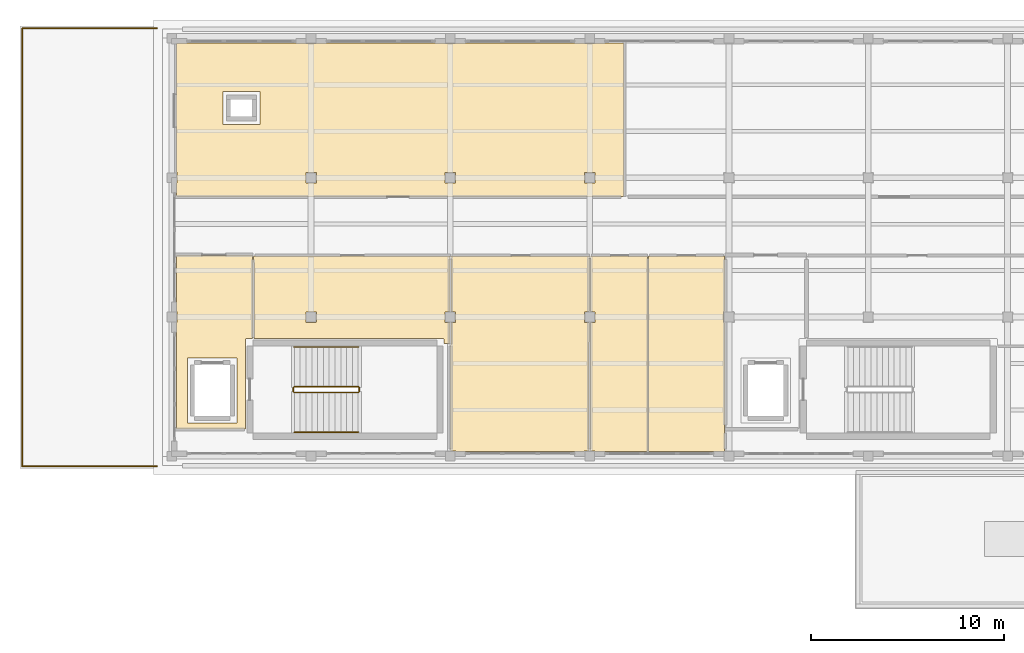
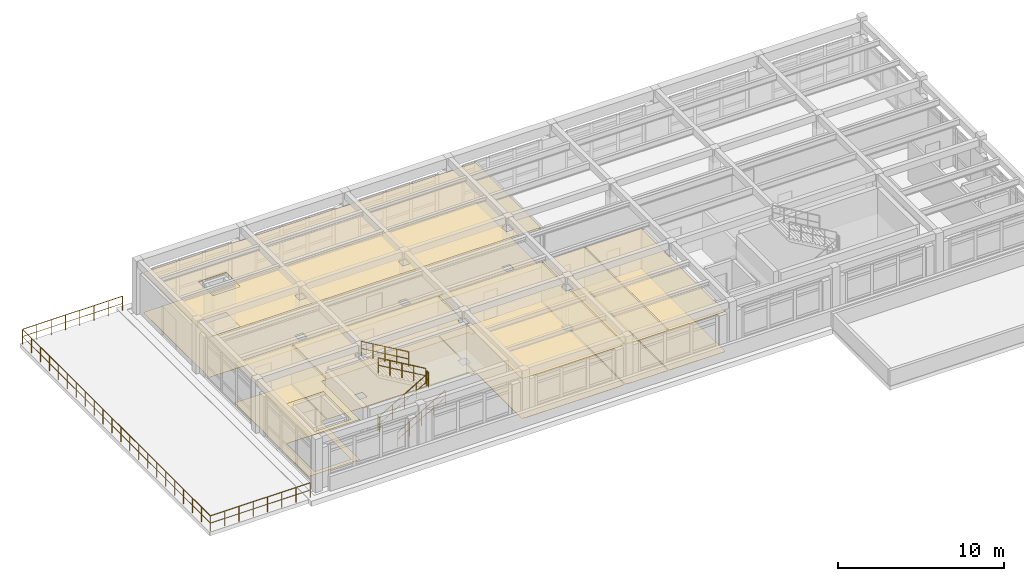
# One storey, part 13 of 15: 12 coverings, 9 railings.
"""IFC4 building model written with IfcOpenShell, lengths in metres."""

from ifc_helpers import new_model, si_unit, direction, frame, origin, origin_2d, place, context, subcontext, project, spatial, polyline, circle, outline, extrude, material, layer, layer_set, type_object, element, save


model = new_model("IFC4")

# Units and contexts
model_context = context("Model", 3, precision=1e-05, world=origin(), true_north=direction((0.0, 1.0)))
body_context = subcontext(model_context, "Body", "Model", "MODEL_VIEW")
ifc_project = project(units=[si_unit("LENGTHUNIT", "METRE"), si_unit("AREAUNIT", "SQUARE_METRE"), si_unit("VOLUMEUNIT", "CUBIC_METRE"), si_unit("PLANEANGLEUNIT", "RADIAN"), si_unit("MASSUNIT", "GRAM", prefix="KILO")], contexts=[model_context])

# Site, building, storey
site_placement = place(None, origin())
site = spatial("IfcSite", under=ifc_project, at=site_placement, CompositionType="ELEMENT")
building_placement = place(site_placement, origin())
building = spatial("IfcBuilding", under=site, at=building_placement, Name="Solenvale Faculty of Natural Sciences", CompositionType="ELEMENT")
storey_placement = place(building_placement, frame((0.0, 0.0, 48.0)))
storey = spatial("IfcBuildingStorey", under=building, at=storey_placement, Name="L11", CompositionType="ELEMENT", Elevation=48.0)

# Coverings
ifc_material_1 = material(Name="Acoustic mineral-timber ceiling", Category="wood")
ifc_layer_1 = layer(ifc_material_1, 0.02490234375)
ifc_layer_set_1 = layer_set([ifc_layer_1], Name="Acoustic mineral-timber ceiling")
covering_type_1 = type_object("IfcCoveringType", Name="COV-CEIL-AC25", PredefinedType="CEILING", material=ifc_layer_set_1)
covering_1_placement = place(storey_placement, frame((0.0, 0.0, 2.93505859375)))
element("IfcCovering", 1, at=covering_1_placement, inside=storey, type_object=covering_type_1, Name="L11 Firefighting Lobby C4 Acoustic Ceiling", PredefinedType="CEILING", context=body_context, shape_type="SweptSolid", body=[
    extrude(outline(polyline([(101.0400390625, 100.4951171875), (101.074951171875, 100.535888671875), (101.074951171875, 101.06591796875), (101.0400390625, 101.10498046875), (101.0400390625, 103.949951171875), (101.051025390625, 103.972900390625), (104.949951171875, 103.97998046875), (104.972900390625, 103.968994140625), (104.97998046875, 99.7099609375), (104.9560546875, 99.680908203125), (104.64794921875, 99.679931640625), (104.6201171875, 99.652099609375), (104.6201171875, 95.050048828125), (104.60693359375, 95.02490234375), (101.070068359375, 95.02001953125), (101.044921875, 95.032958984375), (101.0400390625, 100.4951171875)]), holes=[polyline([(101.6201171875, 95.347900390625), (101.6298828125, 95.327880859375), (101.64990234375, 95.320068359375), (104.14990234375, 95.320068359375), (104.174072265625, 95.33203125), (104.179931640625, 98.64990234375), (104.16796875, 98.674072265625), (101.64990234375, 98.679931640625), (101.6259765625, 98.66796875), (101.6201171875, 95.347900390625)])]), origin(), (0.0, 0.0, 1.0), 0.02490234375),
])
covering_2_placement = place(storey_placement, frame((0.0, 0.0, 2.93505859375)))
element("IfcCovering", 2, at=covering_2_placement, inside=storey, type_object=covering_type_1, Name="L11 Colloquium Seminar Room Acoustic Ceiling", PredefinedType="CEILING", context=body_context, shape_type="SweptSolid", body=[
    extrude(outline(polyline([(101.0400390625, 114.89501953125), (101.048095703125, 114.916015625), (101.10498046875, 114.9599609375), (107.695068359375, 114.9599609375), (107.736083984375, 114.925048828125), (108.26611328125, 114.925048828125), (108.304931640625, 114.9599609375), (114.89501953125, 114.9599609375), (114.93603515625, 114.925048828125), (115.466064453125, 114.925048828125), (115.5048828125, 114.9599609375), (122.094970703125, 114.9599609375), (122.135986328125, 114.925048828125), (122.666015625, 114.925048828125), (122.705078125, 114.9599609375), (124.158935546875, 114.958984375), (124.179931640625, 114.929931640625), (124.178955078125, 107.06103515625), (124.14990234375, 107.0400390625), (101.06103515625, 107.041015625), (101.0400390625, 107.070068359375), (101.0400390625, 107.697998046875), (101.074951171875, 107.736083984375), (101.074951171875, 108.26611328125), (101.0400390625, 108.304931640625), (101.0400390625, 114.89501953125)]), holes=[polyline([(122.6640625, 107.72509765625), (122.675048828125, 107.736083984375), (122.672119140625, 108.27197265625), (122.1279296875, 108.27197265625), (122.1279296875, 107.72802734375), (122.6640625, 107.72509765625)]), polyline([(115.464111328125, 107.72509765625), (115.47509765625, 107.736083984375), (115.471923828125, 108.27197265625), (114.927978515625, 108.27197265625), (114.927978515625, 107.72802734375), (115.464111328125, 107.72509765625)]), polyline([(108.263916015625, 107.72509765625), (108.27490234375, 107.736083984375), (108.27197265625, 108.27197265625), (107.72802734375, 108.27197265625), (107.72802734375, 107.72802734375), (108.263916015625, 107.72509765625)]), polyline([(103.468017578125, 112.4599609375), (103.447998046875, 112.449951171875), (103.43994140625, 112.429931640625), (103.43994140625, 110.77001953125), (103.449951171875, 110.748046875), (105.330078125, 110.739990234375), (105.35205078125, 110.75), (105.360107421875, 112.429931640625), (105.35009765625, 112.451904296875), (103.468017578125, 112.4599609375)])]), origin(), (0.0, 0.0, 1.0), 0.02490234375),
])
covering_3_placement = place(storey_placement, frame((0.0, 0.0, 2.93505859375)))
element("IfcCovering", 3, at=covering_3_placement, inside=storey, type_object=covering_type_1, Name="L11 Graduate Thesis Reading Room Acoustic Ceiling", PredefinedType="CEILING", context=body_context, shape_type="SweptSolid", body=[
    extrude(outline(polyline([(115.14990234375, 103.9599609375), (115.1708984375, 103.950927734375), (115.179931640625, 103.929931640625), (115.179931640625, 101.10205078125), (115.153076171875, 101.074951171875), (114.926025390625, 101.069091796875), (114.925048828125, 100.535888671875), (114.93603515625, 100.52490234375), (115.153076171875, 100.52490234375), (115.178955078125, 100.5009765625), (115.179931640625, 99.449951171875), (115.160888671875, 99.422119140625), (114.89111328125, 99.427001953125), (114.8798828125, 99.447021484375), (114.8798828125, 99.655029296875), (114.85107421875, 99.679931640625), (105.070068359375, 99.679931640625), (105.0419921875, 99.698974609375), (105.0400390625, 103.929931640625), (105.05908203125, 103.9580078125), (115.14990234375, 103.9599609375)]), holes=[polyline([(108.263916015625, 100.52490234375), (108.27490234375, 100.535888671875), (108.27197265625, 101.072021484375), (107.72802734375, 101.072021484375), (107.72802734375, 100.528076171875), (108.263916015625, 100.52490234375)])]), origin(), (0.0, 0.0, 1.0), 0.02490234375),
])
covering_4_placement = place(storey_placement, frame((0.0, 0.0, 2.93505859375)))
element("IfcCovering", 4, at=covering_4_placement, inside=storey, type_object=covering_type_1, Name="L11 Visiting Scholars Faculty Staff Office Acoustic Ceiling", PredefinedType="CEILING", context=body_context, shape_type="SweptSolid", body=[
    extrude(outline(polyline([(115.219970703125, 99.35107421875), (115.239990234375, 99.39990234375), (115.240966796875, 100.5009765625), (115.263916015625, 100.52392578125), (115.466064453125, 100.52490234375), (115.47509765625, 100.535888671875), (115.47412109375, 101.069091796875), (115.26708984375, 101.074951171875), (115.239990234375, 101.10205078125), (115.239990234375, 103.929931640625), (115.2529296875, 103.955078125), (122.368896484375, 103.952880859375), (122.3798828125, 103.929931640625), (122.3798828125, 101.10205078125), (122.35302734375, 101.074951171875), (122.1259765625, 101.069091796875), (122.125, 100.535888671875), (122.135986328125, 100.52490234375), (122.35595703125, 100.52392578125), (122.3798828125, 100.4951171875), (122.373046875, 93.885986328125), (122.35009765625, 93.875), (122.133056640625, 93.875), (122.094970703125, 93.840087890625), (115.5048828125, 93.840087890625), (115.467041015625, 93.875), (115.23095703125, 93.882080078125), (115.219970703125, 93.905029296875), (115.219970703125, 99.35107421875)])), origin(), (0.0, 0.0, 1.0), 0.02490234375),
])
covering_5_placement = place(storey_placement, frame((0.0, 0.0, 2.93505859375)))
element("IfcCovering", 5, at=covering_5_placement, inside=storey, type_object=covering_type_1, Name="L11 Public Washroom Acoustic Ceiling", PredefinedType="CEILING", context=body_context, shape_type="SweptSolid", body=[
    extrude(outline(polyline([(122.705078125, 93.840087890625), (122.6669921875, 93.875), (122.467041015625, 93.875), (122.43994140625, 93.905029296875), (122.43994140625, 100.4951171875), (122.464111328125, 100.52392578125), (122.666015625, 100.52490234375), (122.675048828125, 100.535888671875), (122.674072265625, 101.069091796875), (122.467041015625, 101.074951171875), (122.43994140625, 101.10205078125), (122.44091796875, 103.93896484375), (122.469970703125, 103.9599609375), (125.35888671875, 103.958984375), (125.3798828125, 103.929931640625), (125.37890625, 93.861083984375), (125.35009765625, 93.840087890625), (122.705078125, 93.840087890625)])), origin(), (0.0, 0.0, 1.0), 0.02490234375),
])
covering_6_placement = place(storey_placement, frame((0.0, 0.0, 2.93505859375)))
element("IfcCovering", 6, at=covering_6_placement, inside=storey, type_object=covering_type_1, Name="L11 Accessible Washroom Acoustic Ceiling", PredefinedType="CEILING", context=body_context, shape_type="SweptSolid", body=[
    extrude(outline(polyline([(129.366943359375, 93.8798828125), (129.294921875, 93.840087890625), (125.469970703125, 93.840087890625), (125.44189453125, 93.85888671875), (125.43994140625, 103.929931640625), (125.458984375, 103.9580078125), (129.330078125, 103.9599609375), (129.35791015625, 103.94091796875), (129.360107421875, 101.10498046875), (129.324951171875, 101.06591796875), (129.324951171875, 100.535888671875), (129.360107421875, 100.4951171875), (129.360107421875, 95.0), (129.3798828125, 94.950927734375), (129.3798828125, 93.905029296875), (129.366943359375, 93.8798828125)])), origin(), (0.0, 0.0, 1.0), 0.02490234375),
])
ifc_material_2 = material(Name="Polished slate terrazzo flooring", Category="masonry")
ifc_layer_2 = layer(ifc_material_2, 0.01806640625)
ifc_layer_set_2 = layer_set([ifc_layer_2], Name="Polished slate terrazzo flooring")
covering_type_2 = type_object("IfcCoveringType", Name="COV-FLR-TRZ18", PredefinedType="FLOORING", material=ifc_layer_set_2)
covering_7_placement = place(storey_placement, origin())
element("IfcCovering", 7, at=covering_7_placement, inside=storey, type_object=covering_type_2, Name="L11 Firefighting Lobby C4 Floor Finish", PredefinedType="FLOORING", context=body_context, shape_type="SweptSolid", body=[
    extrude(outline(polyline([(101.0400390625, 100.4951171875), (101.074951171875, 100.535888671875), (101.074951171875, 101.06591796875), (101.0400390625, 101.10498046875), (101.0400390625, 103.949951171875), (101.051025390625, 103.972900390625), (104.949951171875, 103.97998046875), (104.972900390625, 103.968994140625), (104.97998046875, 99.7099609375), (104.9560546875, 99.680908203125), (104.64794921875, 99.679931640625), (104.6201171875, 99.652099609375), (104.6201171875, 95.050048828125), (104.60693359375, 95.02490234375), (101.070068359375, 95.02001953125), (101.044921875, 95.032958984375), (101.0400390625, 100.4951171875)]), holes=[polyline([(101.6201171875, 95.347900390625), (101.6298828125, 95.327880859375), (101.64990234375, 95.320068359375), (104.14990234375, 95.320068359375), (104.174072265625, 95.33203125), (104.179931640625, 98.64990234375), (104.16796875, 98.674072265625), (101.64990234375, 98.679931640625), (101.6259765625, 98.66796875), (101.6201171875, 95.347900390625)])]), origin(), (0.0, 0.0, 1.0), 0.01806640625),
])
covering_8_placement = place(storey_placement, origin())
element("IfcCovering", 8, at=covering_8_placement, inside=storey, type_object=covering_type_2, Name="L11 Colloquium Seminar Room Floor Finish", PredefinedType="FLOORING", context=body_context, shape_type="SweptSolid", body=[
    extrude(outline(polyline([(101.0400390625, 114.89501953125), (101.048095703125, 114.916015625), (101.10498046875, 114.9599609375), (107.695068359375, 114.9599609375), (107.736083984375, 114.925048828125), (108.26611328125, 114.925048828125), (108.304931640625, 114.9599609375), (114.89501953125, 114.9599609375), (114.93603515625, 114.925048828125), (115.466064453125, 114.925048828125), (115.5048828125, 114.9599609375), (122.094970703125, 114.9599609375), (122.135986328125, 114.925048828125), (122.666015625, 114.925048828125), (122.705078125, 114.9599609375), (124.158935546875, 114.958984375), (124.179931640625, 114.929931640625), (124.178955078125, 107.06103515625), (124.14990234375, 107.0400390625), (101.06103515625, 107.041015625), (101.0400390625, 107.070068359375), (101.0400390625, 107.697998046875), (101.074951171875, 107.736083984375), (101.074951171875, 108.26611328125), (101.0400390625, 108.304931640625), (101.0400390625, 114.89501953125)]), holes=[polyline([(122.6640625, 107.72509765625), (122.675048828125, 107.736083984375), (122.672119140625, 108.27197265625), (122.1279296875, 108.27197265625), (122.1279296875, 107.72802734375), (122.6640625, 107.72509765625)]), polyline([(115.464111328125, 107.72509765625), (115.47509765625, 107.736083984375), (115.471923828125, 108.27197265625), (114.927978515625, 108.27197265625), (114.927978515625, 107.72802734375), (115.464111328125, 107.72509765625)]), polyline([(108.263916015625, 107.72509765625), (108.27490234375, 107.736083984375), (108.27197265625, 108.27197265625), (107.72802734375, 108.27197265625), (107.72802734375, 107.72802734375), (108.263916015625, 107.72509765625)]), polyline([(103.468017578125, 112.4599609375), (103.447998046875, 112.449951171875), (103.43994140625, 112.429931640625), (103.43994140625, 110.77001953125), (103.449951171875, 110.748046875), (105.330078125, 110.739990234375), (105.35205078125, 110.75), (105.360107421875, 112.429931640625), (105.35009765625, 112.451904296875), (103.468017578125, 112.4599609375)])]), origin(), (0.0, 0.0, 1.0), 0.01806640625),
])
covering_9_placement = place(storey_placement, origin())
element("IfcCovering", 9, at=covering_9_placement, inside=storey, type_object=covering_type_2, Name="L11 Graduate Thesis Reading Room Floor Finish", PredefinedType="FLOORING", context=body_context, shape_type="SweptSolid", body=[
    extrude(outline(polyline([(115.14990234375, 103.9599609375), (115.1708984375, 103.950927734375), (115.179931640625, 103.929931640625), (115.179931640625, 101.10205078125), (115.153076171875, 101.074951171875), (114.926025390625, 101.069091796875), (114.925048828125, 100.535888671875), (114.93603515625, 100.52490234375), (115.153076171875, 100.52490234375), (115.178955078125, 100.5009765625), (115.179931640625, 99.449951171875), (115.160888671875, 99.422119140625), (114.89111328125, 99.427001953125), (114.8798828125, 99.447021484375), (114.8798828125, 99.655029296875), (114.85107421875, 99.679931640625), (105.070068359375, 99.679931640625), (105.0419921875, 99.698974609375), (105.0400390625, 103.929931640625), (105.05908203125, 103.9580078125), (115.14990234375, 103.9599609375)]), holes=[polyline([(108.263916015625, 100.52490234375), (108.27490234375, 100.535888671875), (108.27197265625, 101.072021484375), (107.72802734375, 101.072021484375), (107.72802734375, 100.528076171875), (108.263916015625, 100.52490234375)])]), origin(), (0.0, 0.0, 1.0), 0.01806640625),
])
covering_10_placement = place(storey_placement, origin())
element("IfcCovering", 10, at=covering_10_placement, inside=storey, type_object=covering_type_2, Name="L11 Visiting Scholars Faculty Staff Office Floor Finish", PredefinedType="FLOORING", context=body_context, shape_type="SweptSolid", body=[
    extrude(outline(polyline([(115.219970703125, 99.35107421875), (115.239990234375, 99.39990234375), (115.240966796875, 100.5009765625), (115.263916015625, 100.52392578125), (115.466064453125, 100.52490234375), (115.47509765625, 100.535888671875), (115.47412109375, 101.069091796875), (115.26708984375, 101.074951171875), (115.239990234375, 101.10205078125), (115.239990234375, 103.929931640625), (115.2529296875, 103.955078125), (122.368896484375, 103.952880859375), (122.3798828125, 103.929931640625), (122.3798828125, 101.10205078125), (122.35302734375, 101.074951171875), (122.1259765625, 101.069091796875), (122.125, 100.535888671875), (122.135986328125, 100.52490234375), (122.35595703125, 100.52392578125), (122.3798828125, 100.4951171875), (122.373046875, 93.885986328125), (122.35009765625, 93.875), (122.133056640625, 93.875), (122.094970703125, 93.840087890625), (115.5048828125, 93.840087890625), (115.467041015625, 93.875), (115.23095703125, 93.882080078125), (115.219970703125, 93.905029296875), (115.219970703125, 99.35107421875)])), origin(), (0.0, 0.0, 1.0), 0.01806640625),
])
covering_11_placement = place(storey_placement, origin())
element("IfcCovering", 11, at=covering_11_placement, inside=storey, type_object=covering_type_2, Name="L11 Public Washroom Floor Finish", PredefinedType="FLOORING", context=body_context, shape_type="SweptSolid", body=[
    extrude(outline(polyline([(122.705078125, 93.840087890625), (122.6669921875, 93.875), (122.467041015625, 93.875), (122.43994140625, 93.905029296875), (122.43994140625, 100.4951171875), (122.464111328125, 100.52392578125), (122.666015625, 100.52490234375), (122.675048828125, 100.535888671875), (122.674072265625, 101.069091796875), (122.467041015625, 101.074951171875), (122.43994140625, 101.10205078125), (122.44091796875, 103.93896484375), (122.469970703125, 103.9599609375), (125.35888671875, 103.958984375), (125.3798828125, 103.929931640625), (125.37890625, 93.861083984375), (125.35009765625, 93.840087890625), (122.705078125, 93.840087890625)])), origin(), (0.0, 0.0, 1.0), 0.01806640625),
])
covering_12_placement = place(storey_placement, origin())
element("IfcCovering", 12, at=covering_12_placement, inside=storey, type_object=covering_type_2, Name="L11 Accessible Washroom Floor Finish", PredefinedType="FLOORING", context=body_context, shape_type="SweptSolid", body=[
    extrude(outline(polyline([(129.366943359375, 93.8798828125), (129.294921875, 93.840087890625), (125.469970703125, 93.840087890625), (125.44189453125, 93.85888671875), (125.43994140625, 103.929931640625), (125.458984375, 103.9580078125), (129.330078125, 103.9599609375), (129.35791015625, 103.94091796875), (129.360107421875, 101.10498046875), (129.324951171875, 101.06591796875), (129.324951171875, 100.535888671875), (129.360107421875, 100.4951171875), (129.360107421875, 95.0), (129.3798828125, 94.950927734375), (129.3798828125, 93.905029296875), (129.366943359375, 93.8798828125)])), origin(), (0.0, 0.0, 1.0), 0.01806640625),
])

# Railings
ifc_material_3 = material(Name="Stainless steel Grade 304", Category="steel")
railing_type_1 = type_object("IfcRailingType", Name="RL-GRD-1100", PredefinedType="GUARDRAIL", material=ifc_material_3)
railing_1_placement = place(storey_placement, frame((107.139892578125, 96.89990234375, 0.175048828125)))
element("IfcRailing", 13, at=railing_1_placement, inside=storey, type_object=railing_type_1, Name="L11 ST-04 stair guard 1", PredefinedType="GUARDRAIL", context=body_context, shape_type="SweptSolid", body=[
    extrude(circle(Radius=0.02392578125, at=origin_2d()), frame((0.0, 0.0, 1.09619140625), z_axis=(0.863776583165, 0.0, 0.503874998761), x_axis=(0.0, 1.0, 0.0)), (0.0, 0.0, 1.0), 3.820556640625),
    extrude(circle(Radius=0.01611328125, at=origin_2d()), frame((0.0, 0.0, 0.56005859375), z_axis=(0.863776583165, 0.0, 0.503874998761), x_axis=(0.0, 1.0, 0.0)), (0.0, 0.0, 1.0), 3.820556640625),
    extrude(circle(Radius=0.02099609375, at=origin_2d()), origin(), (0.0, 0.0, 1.0), 1.072021484375),
    extrude(circle(Radius=0.02099609375, at=origin_2d()), frame((0.824951171875, 0.0, 0.481201171875)), (0.0, 0.0, 1.0), 1.072021484375),
    extrude(circle(Radius=0.02099609375, at=origin_2d()), frame((1.64990234375, 0.0, 0.96240234375)), (0.0, 0.0, 1.0), 1.072021484375),
    extrude(circle(Radius=0.02099609375, at=origin_2d()), frame((2.47509765625, 0.0, 1.44384765625)), (0.0, 0.0, 1.0), 1.072021484375),
    extrude(circle(Radius=0.02099609375, at=origin_2d()), frame((3.300048828125, 0.0, 1.925048828125)), (0.0, 0.0, 1.0), 1.072021484375),
])
railing_2_placement = place(storey_placement, frame((110.489990234375, 96.949951171875, 2.10009765625)))
element("IfcRailing", 14, at=railing_2_placement, inside=storey, type_object=railing_type_1, Name="L11 ST-04 stair guard 2", PredefinedType="GUARDRAIL", context=body_context, shape_type="SweptSolid", body=[
    extrude(circle(Radius=0.02392578125, at=origin_2d()), frame((0.0, 0.0, 1.09619140625), z_axis=(0.0, 1.0, 0.0), x_axis=(-1.0, 0.0, 0.0)), (0.0, 0.0, 1.0), 0.199951171875),
    extrude(circle(Radius=0.01611328125, at=origin_2d()), frame((0.0, 0.0, 0.56005859375), z_axis=(0.0, 1.0, 0.0), x_axis=(-1.0, 0.0, 0.0)), (0.0, 0.0, 1.0), 0.199951171875),
    extrude(circle(Radius=0.02099609375, at=origin_2d()), origin(), (0.0, 0.0, 1.0), 1.072021484375),
    extrude(circle(Radius=0.02099609375, at=origin_2d()), frame((0.0, 0.199951171875, 0.0)), (0.0, 0.0, 1.0), 1.072021484375),
])
railing_3_placement = place(storey_placement, frame((110.43994140625, 97.199951171875, 2.27490234375)))
element("IfcRailing", 15, at=railing_3_placement, inside=storey, type_object=railing_type_1, Name="L11 ST-04 stair guard 3", PredefinedType="GUARDRAIL", context=body_context, shape_type="SweptSolid", body=[
    extrude(circle(Radius=0.02392578125, at=origin_2d()), frame((0.0, 0.0, 1.09619140625), z_axis=(-0.863776583165, 0.0, 0.503874998761), x_axis=(0.0, -1.0, 0.0)), (0.0, 0.0, 1.0), 3.820556640625),
    extrude(circle(Radius=0.01611328125, at=origin_2d()), frame((0.0, 0.0, 0.56005859375), z_axis=(-0.863776583165, 0.0, 0.503874998761), x_axis=(0.0, -1.0, 0.0)), (0.0, 0.0, 1.0), 3.820556640625),
    extrude(circle(Radius=0.02099609375, at=origin_2d()), origin(), (0.0, 0.0, 1.0), 1.072021484375),
    extrude(circle(Radius=0.02099609375, at=origin_2d()), frame((-0.824951171875, 0.0, 0.481201171875)), (0.0, 0.0, 1.0), 1.072021484375),
    extrude(circle(Radius=0.02099609375, at=origin_2d()), frame((-1.64990234375, 0.0, 0.96240234375)), (0.0, 0.0, 1.0), 1.072021484375),
    extrude(circle(Radius=0.02099609375, at=origin_2d()), frame((-2.47509765625, 0.0, 1.44384765625)), (0.0, 0.0, 1.0), 1.072021484375),
    extrude(circle(Radius=0.02099609375, at=origin_2d()), frame((-3.300048828125, 0.0, 1.925048828125)), (0.0, 0.0, 1.0), 1.072021484375),
])
railing_4_placement = place(storey_placement, frame((107.090087890625, 96.949951171875, 0.0)))
element("IfcRailing", 16, at=railing_4_placement, inside=storey, type_object=railing_type_1, Name="L11 ST-04 stair guard 4", PredefinedType="GUARDRAIL", context=body_context, shape_type="SweptSolid", body=[
    extrude(circle(Radius=0.02392578125, at=origin_2d()), frame((0.0, 0.0, 1.09619140625), z_axis=(0.0, 1.0, 0.0), x_axis=(-1.0, 0.0, 0.0)), (0.0, 0.0, 1.0), 0.199951171875),
    extrude(circle(Radius=0.01611328125, at=origin_2d()), frame((0.0, 0.0, 0.56005859375), z_axis=(0.0, 1.0, 0.0), x_axis=(-1.0, 0.0, 0.0)), (0.0, 0.0, 1.0), 0.199951171875),
    extrude(circle(Radius=0.02099609375, at=origin_2d()), origin(), (0.0, 0.0, 1.0), 1.072021484375),
    extrude(circle(Radius=0.02099609375, at=origin_2d()), frame((0.0, 0.199951171875, 0.0)), (0.0, 0.0, 1.0), 1.072021484375),
])
railing_type_2 = type_object("IfcRailingType", Name="RL-HND-900", PredefinedType="HANDRAIL", material=ifc_material_3)
railing_5_placement = place(storey_placement, frame((107.139892578125, 94.85009765625, 0.175048828125)))
element("IfcRailing", 17, at=railing_5_placement, inside=storey, type_object=railing_type_2, Name="L11 ST-04 stair handrail 1", PredefinedType="HANDRAIL", context=body_context, shape_type="SweptSolid", body=[
    extrude(circle(Radius=0.02392578125, at=origin_2d()), frame((0.0, 0.0, 1.0751953125), z_axis=(0.863776583165, 0.0, 0.503874998761), x_axis=(0.0, 1.0, 0.0)), (0.0, 0.0, 1.0), 3.820556640625),
    extrude(circle(Radius=0.01611328125, at=origin_2d()), frame((0.0, 0.0, 0.549560546875), z_axis=(0.863776583165, 0.0, 0.503874998761), x_axis=(0.0, 1.0, 0.0)), (0.0, 0.0, 1.0), 3.820556640625),
    extrude(circle(Radius=0.02099609375, at=origin_2d()), origin(), (0.0, 0.0, 1.0), 1.051025390625),
    extrude(circle(Radius=0.02099609375, at=origin_2d()), frame((0.824951171875, 0.0, 0.481201171875)), (0.0, 0.0, 1.0), 1.051025390625),
    extrude(circle(Radius=0.02099609375, at=origin_2d()), frame((1.64990234375, 0.0, 0.96240234375)), (0.0, 0.0, 1.0), 1.051025390625),
    extrude(circle(Radius=0.02099609375, at=origin_2d()), frame((2.47509765625, 0.0, 1.44384765625)), (0.0, 0.0, 1.0), 1.051025390625),
    extrude(circle(Radius=0.02099609375, at=origin_2d()), frame((3.300048828125, 0.0, 1.925048828125)), (0.0, 0.0, 1.0), 1.051025390625),
])
railing_6_placement = place(storey_placement, frame((110.43994140625, 99.25, 2.27490234375)))
element("IfcRailing", 18, at=railing_6_placement, inside=storey, type_object=railing_type_2, Name="L11 ST-04 stair handrail 2", PredefinedType="HANDRAIL", context=body_context, shape_type="SweptSolid", body=[
    extrude(circle(Radius=0.02392578125, at=origin_2d()), frame((0.0, 0.0, 1.0751953125), z_axis=(-0.863776583165, 0.0, 0.503874998761), x_axis=(0.0, -1.0, 0.0)), (0.0, 0.0, 1.0), 3.820556640625),
    extrude(circle(Radius=0.01611328125, at=origin_2d()), frame((0.0, 0.0, 0.549560546875), z_axis=(-0.863776583165, 0.0, 0.503874998761), x_axis=(0.0, -1.0, 0.0)), (0.0, 0.0, 1.0), 3.820556640625),
    extrude(circle(Radius=0.02099609375, at=origin_2d()), origin(), (0.0, 0.0, 1.0), 1.051025390625),
    extrude(circle(Radius=0.02099609375, at=origin_2d()), frame((-0.824951171875, 0.0, 0.481201171875)), (0.0, 0.0, 1.0), 1.051025390625),
    extrude(circle(Radius=0.02099609375, at=origin_2d()), frame((-1.64990234375, 0.0, 0.96240234375)), (0.0, 0.0, 1.0), 1.051025390625),
    extrude(circle(Radius=0.02099609375, at=origin_2d()), frame((-2.47509765625, 0.0, 1.44384765625)), (0.0, 0.0, 1.0), 1.051025390625),
    extrude(circle(Radius=0.02099609375, at=origin_2d()), frame((-3.300048828125, 0.0, 1.925048828125)), (0.0, 0.0, 1.0), 1.051025390625),
])
railing_type_3 = type_object("IfcRailingType", Name="RL-TERR-1100", PredefinedType="GUARDRAIL", material=ifc_material_3)
railing_7_placement = place(storey_placement, frame((100.0400390625, 93.080078125, 0.0)))
element("IfcRailing", 19, at=railing_7_placement, inside=storey, type_object=railing_type_3, Name="L11 Terrace Guardrail 1.2", PredefinedType="GUARDRAIL", context=body_context, shape_type="SweptSolid", body=[
    extrude(circle(Radius=0.02392578125, at=origin_2d()), frame((0.0, 0.0, 1.09619140625), z_axis=(-1.0, 0.0, 0.0), x_axis=(0.0, -1.0, 0.0)), (0.0, 0.0, 1.0), 6.9599609375),
    extrude(circle(Radius=0.01611328125, at=origin_2d()), frame((0.0, 0.0, 0.56005859375), z_axis=(-1.0, 0.0, 0.0), x_axis=(0.0, -1.0, 0.0)), (0.0, 0.0, 1.0), 6.9599609375),
    extrude(circle(Radius=0.02099609375, at=origin_2d()), origin(), (0.0, 0.0, 1.0), 1.072021484375),
    extrude(circle(Radius=0.02099609375, at=origin_2d()), frame((-0.994384765625, 0.0, 0.0)), (0.0, 0.0, 1.0), 1.072021484375),
    extrude(circle(Radius=0.02099609375, at=origin_2d()), frame((-1.988525390625, 0.0, 0.0)), (0.0, 0.0, 1.0), 1.072021484375),
    extrude(circle(Radius=0.02099609375, at=origin_2d()), frame((-2.98291015625, 0.0, 0.0)), (0.0, 0.0, 1.0), 1.072021484375),
    extrude(circle(Radius=0.02099609375, at=origin_2d()), frame((-3.97705078125, 0.0, 0.0)), (0.0, 0.0, 1.0), 1.072021484375),
    extrude(circle(Radius=0.02099609375, at=origin_2d()), frame((-4.971435546875, 0.0, 0.0)), (0.0, 0.0, 1.0), 1.072021484375),
    extrude(circle(Radius=0.02099609375, at=origin_2d()), frame((-5.965576171875, 0.0, 0.0)), (0.0, 0.0, 1.0), 1.072021484375),
    extrude(circle(Radius=0.02099609375, at=origin_2d()), frame((-6.9599609375, 0.0, 0.0)), (0.0, 0.0, 1.0), 1.072021484375),
])
railing_8_placement = place(storey_placement, frame((93.080078125, 93.080078125, 0.0)))
element("IfcRailing", 20, at=railing_8_placement, inside=storey, type_object=railing_type_3, Name="L11 Terrace Guardrail 1.3", PredefinedType="GUARDRAIL", context=body_context, shape_type="SweptSolid", body=[
    extrude(circle(Radius=0.02392578125, at=origin_2d()), frame((0.0, 0.0, 1.09619140625), z_axis=(0.0, 1.0, 0.0), x_axis=(-1.0, 0.0, 0.0)), (0.0, 0.0, 1.0), 22.639892578125),
    extrude(circle(Radius=0.01611328125, at=origin_2d()), frame((0.0, 0.0, 0.56005859375), z_axis=(0.0, 1.0, 0.0), x_axis=(-1.0, 0.0, 0.0)), (0.0, 0.0, 1.0), 22.639892578125),
    extrude(circle(Radius=0.02099609375, at=origin_2d()), origin(), (0.0, 0.0, 1.0), 1.072021484375),
    extrude(circle(Radius=0.02099609375, at=origin_2d()), frame((0.0, 1.078125, 0.0)), (0.0, 0.0, 1.0), 1.072021484375),
    extrude(circle(Radius=0.02099609375, at=origin_2d()), frame((0.0, 2.15625, 0.0)), (0.0, 0.0, 1.0), 1.072021484375),
    extrude(circle(Radius=0.02099609375, at=origin_2d()), frame((0.0, 3.234375, 0.0)), (0.0, 0.0, 1.0), 1.072021484375),
    extrude(circle(Radius=0.02099609375, at=origin_2d()), frame((0.0, 4.312255859375, 0.0)), (0.0, 0.0, 1.0), 1.072021484375),
    extrude(circle(Radius=0.02099609375, at=origin_2d()), frame((0.0, 5.390380859375, 0.0)), (0.0, 0.0, 1.0), 1.072021484375),
    extrude(circle(Radius=0.02099609375, at=origin_2d()), frame((0.0, 6.468505859375, 0.0)), (0.0, 0.0, 1.0), 1.072021484375),
    extrude(circle(Radius=0.02099609375, at=origin_2d()), frame((0.0, 7.546630859375, 0.0)), (0.0, 0.0, 1.0), 1.072021484375),
    extrude(circle(Radius=0.02099609375, at=origin_2d()), frame((0.0, 8.624755859375, 0.0)), (0.0, 0.0, 1.0), 1.072021484375),
    extrude(circle(Radius=0.02099609375, at=origin_2d()), frame((0.0, 9.702880859375, 0.0)), (0.0, 0.0, 1.0), 1.072021484375),
    extrude(circle(Radius=0.02099609375, at=origin_2d()), frame((0.0, 10.781005859375, 0.0)), (0.0, 0.0, 1.0), 1.072021484375),
    extrude(circle(Radius=0.02099609375, at=origin_2d()), frame((0.0, 11.85888671875, 0.0)), (0.0, 0.0, 1.0), 1.072021484375),
    extrude(circle(Radius=0.02099609375, at=origin_2d()), frame((0.0, 12.93701171875, 0.0)), (0.0, 0.0, 1.0), 1.072021484375),
    extrude(circle(Radius=0.02099609375, at=origin_2d()), frame((0.0, 14.01513671875, 0.0)), (0.0, 0.0, 1.0), 1.072021484375),
    extrude(circle(Radius=0.02099609375, at=origin_2d()), frame((0.0, 15.09326171875, 0.0)), (0.0, 0.0, 1.0), 1.072021484375),
    extrude(circle(Radius=0.02099609375, at=origin_2d()), frame((0.0, 16.17138671875, 0.0)), (0.0, 0.0, 1.0), 1.072021484375),
    extrude(circle(Radius=0.02099609375, at=origin_2d()), frame((0.0, 17.24951171875, 0.0)), (0.0, 0.0, 1.0), 1.072021484375),
    extrude(circle(Radius=0.02099609375, at=origin_2d()), frame((0.0, 18.32763671875, 0.0)), (0.0, 0.0, 1.0), 1.072021484375),
    extrude(circle(Radius=0.02099609375, at=origin_2d()), frame((0.0, 19.405517578125, 0.0)), (0.0, 0.0, 1.0), 1.072021484375),
    extrude(circle(Radius=0.02099609375, at=origin_2d()), frame((0.0, 20.483642578125, 0.0)), (0.0, 0.0, 1.0), 1.072021484375),
    extrude(circle(Radius=0.02099609375, at=origin_2d()), frame((0.0, 21.561767578125, 0.0)), (0.0, 0.0, 1.0), 1.072021484375),
    extrude(circle(Radius=0.02099609375, at=origin_2d()), frame((0.0, 22.639892578125, 0.0)), (0.0, 0.0, 1.0), 1.072021484375),
])
railing_9_placement = place(storey_placement, frame((93.080078125, 115.719970703125, 0.0)))
element("IfcRailing", 21, at=railing_9_placement, inside=storey, type_object=railing_type_3, Name="L11 Terrace Guardrail 1.4", PredefinedType="GUARDRAIL", context=body_context, shape_type="SweptSolid", body=[
    extrude(circle(Radius=0.02392578125, at=origin_2d()), frame((0.0, 0.0, 1.09619140625), z_axis=(1.0, 0.0, 0.0), x_axis=(0.0, 1.0, 0.0)), (0.0, 0.0, 1.0), 6.9599609375),
    extrude(circle(Radius=0.01611328125, at=origin_2d()), frame((0.0, 0.0, 0.56005859375), z_axis=(1.0, 0.0, 0.0), x_axis=(0.0, 1.0, 0.0)), (0.0, 0.0, 1.0), 6.9599609375),
    extrude(circle(Radius=0.02099609375, at=origin_2d()), origin(), (0.0, 0.0, 1.0), 1.072021484375),
    extrude(circle(Radius=0.02099609375, at=origin_2d()), frame((0.994384765625, 0.0, 0.0)), (0.0, 0.0, 1.0), 1.072021484375),
    extrude(circle(Radius=0.02099609375, at=origin_2d()), frame((1.988525390625, 0.0, 0.0)), (0.0, 0.0, 1.0), 1.072021484375),
    extrude(circle(Radius=0.02099609375, at=origin_2d()), frame((2.98291015625, 0.0, 0.0)), (0.0, 0.0, 1.0), 1.072021484375),
    extrude(circle(Radius=0.02099609375, at=origin_2d()), frame((3.97705078125, 0.0, 0.0)), (0.0, 0.0, 1.0), 1.072021484375),
    extrude(circle(Radius=0.02099609375, at=origin_2d()), frame((4.971435546875, 0.0, 0.0)), (0.0, 0.0, 1.0), 1.072021484375),
    extrude(circle(Radius=0.02099609375, at=origin_2d()), frame((5.965576171875, 0.0, 0.0)), (0.0, 0.0, 1.0), 1.072021484375),
    extrude(circle(Radius=0.02099609375, at=origin_2d()), frame((6.9599609375, 0.0, 0.0)), (0.0, 0.0, 1.0), 1.072021484375),
])

save(model, "model.ifc")
